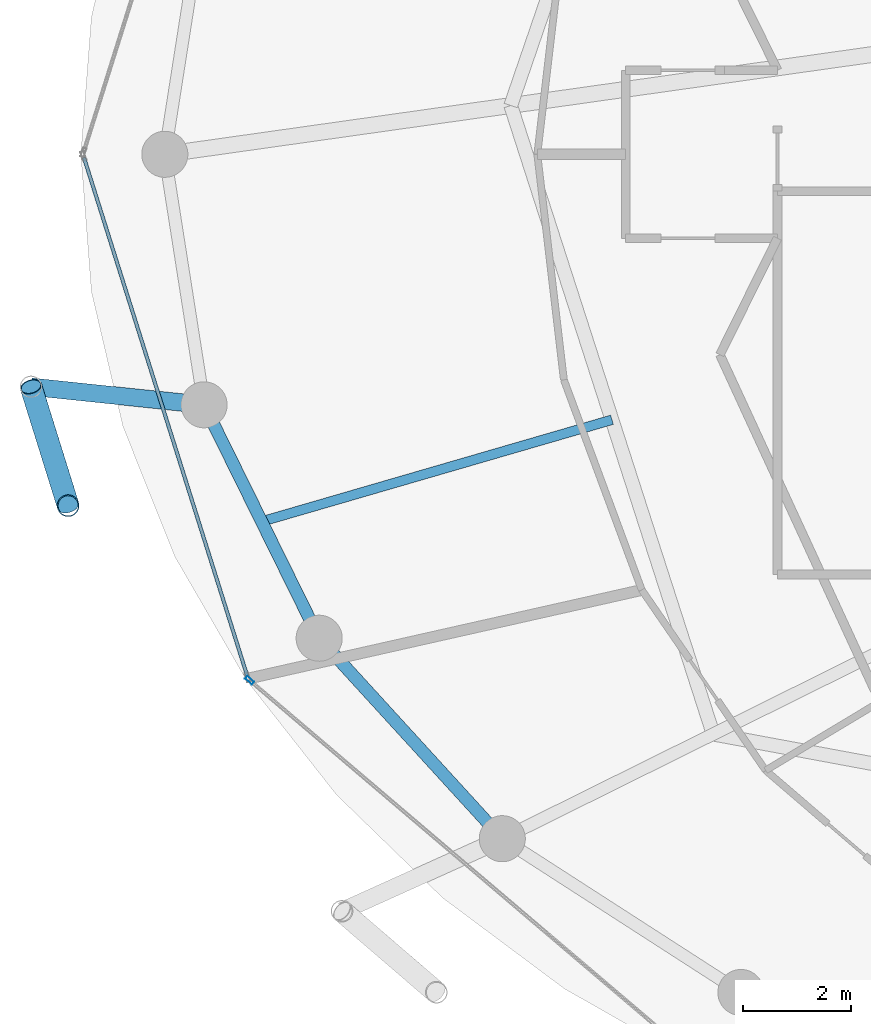
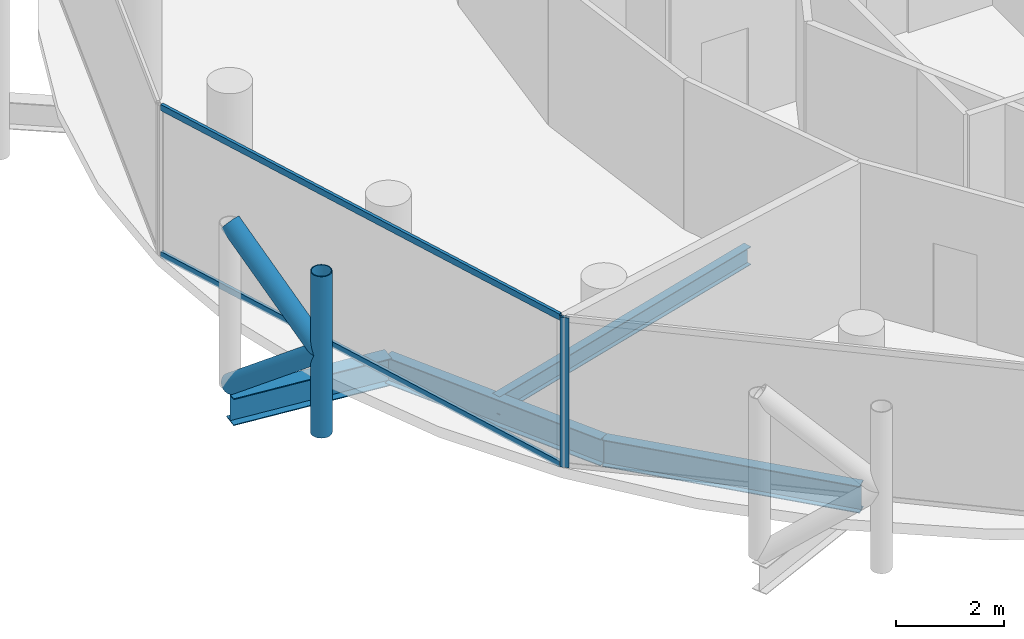
# One storey, part 3 of 27: 6 members, 4 beams, 2 elements without a shape of their own.
"""IFC4 building model written with IfcOpenShell, lengths in metres."""

from ifc_helpers import new_model, si_unit, direction, frame, origin, origin_2d, place, context, subcontext, project, spatial, hollow_rectangle, hollow_circle, i_section, extrude, material, layer, layer_set, material_profile, profile_set, type_object, element, aggregate, save


model = new_model("IFC4")

# Units and contexts
model_context = context("Model", 3, precision=1e-05, world=origin(), true_north=direction((0.0, 1.0)))
body_context = subcontext(model_context, "Body", "Model", "MODEL_VIEW")
ifc_project = project(units=[si_unit("LENGTHUNIT", "METRE"), si_unit("AREAUNIT", "SQUARE_METRE"), si_unit("VOLUMEUNIT", "CUBIC_METRE"), si_unit("PLANEANGLEUNIT", "RADIAN"), si_unit("MASSUNIT", "GRAM", prefix="KILO")], contexts=[model_context])

# Site, building, storey
site_placement = place(None, origin())
site = spatial("IfcSite", under=ifc_project, at=site_placement, CompositionType="ELEMENT")
building_placement = place(site_placement, origin())
building = spatial("IfcBuilding", under=site, at=building_placement, Name="Nuhasar Tower", CompositionType="ELEMENT")
storey_placement = place(building_placement, frame((0.0, 0.0, 251.949951171875)))
storey = spatial("IfcBuildingStorey", under=building, at=storey_placement, Name="L62", CompositionType="ELEMENT", Elevation=251.949951171875)

# Beams
ifc_material_1 = material(Name="Steel S355", Category="steel")
ifc_material_profile_1 = material_profile(ifc_material_1, i_section(OverallWidth=0.177978515625, OverallDepth=0.406005859375, WebThickness=0.0078125, FlangeThickness=0.0126953125, at=origin_2d()), Name="W16X40")
ifc_profile_set_1 = profile_set([ifc_material_profile_1], Name="Steel S355")
beam_type_1 = type_object("IfcBeamType", Name="BM-JST-W16X40", PredefinedType="JOIST", material=ifc_profile_set_1)
beam_1_placement = place(storey_placement, frame((25.9970703125, 21.904052734375, -0.44287109375), z_axis=(-0.960312689798, -0.27892568511, 0.0), x_axis=(0.27892568511, -0.960312689798, 0.0)))
element("IfcBeam", 1, at=beam_1_placement, inside=storey, type_object=beam_type_1, Name="L62 Secondary Floor Joist 08", PredefinedType="JOIST", context=body_context, shape_type="SweptSolid", body=[
    extrude(i_section(OverallWidth=0.177978515625, OverallDepth=0.406005859375, WebThickness=0.0078125, FlangeThickness=0.0126953125, at=origin_2d()), origin(), (0.0, 0.0, 1.0), 6.729248046875),
])
ifc_material_profile_2 = material_profile(ifc_material_1, i_section(OverallWidth=0.22802734375, OverallDepth=0.60791015625, WebThickness=0.01123046875, FlangeThickness=0.017333984375, at=origin_2d()), Name="W24X76")
ifc_profile_set_2 = profile_set([ifc_material_profile_2], Name="Steel S355")
beam_type_2 = type_object("IfcBeamType", Name="BM-RING-W24X76", PredefinedType="SPANDREL", material=ifc_profile_set_2)
beam_2_placement = place(storey_placement, frame((18.47412109375, 22.179931640625, -0.5439453125), z_axis=(0.442262779282, -0.896885518928, 0.0), x_axis=(0.896885518928, 0.442262779282, 0.0)))
element("IfcBeam", 2, at=beam_2_placement, inside=storey, type_object=beam_type_2, Name="L62 Perimeter Ring Spandrel 14", PredefinedType="SPANDREL", context=body_context, shape_type="SweptSolid", body=[
    extrude(i_section(OverallWidth=0.22802734375, OverallDepth=0.60791015625, WebThickness=0.01123046875, FlangeThickness=0.017333984375, at=origin_2d()), origin(), (0.0, 0.0, 1.0), 4.7998046875),
])
beam_3_placement = place(storey_placement, frame((20.596923828125, 17.875, -0.5439453125), z_axis=(0.674449692975, -0.738320805373, 0.0), x_axis=(0.738320805373, 0.674449692975, 0.0)))
element("IfcBeam", 3, at=beam_3_placement, inside=storey, type_object=beam_type_2, Name="L62 Perimeter Ring Spandrel 15", PredefinedType="SPANDREL", context=body_context, shape_type="SweptSolid", body=[
    extrude(i_section(OverallWidth=0.22802734375, OverallDepth=0.60791015625, WebThickness=0.01123046875, FlangeThickness=0.017333984375, at=origin_2d()), origin(), (0.0, 0.0, 1.0), 5.00732421875),
])
ifc_material_profile_3 = material_profile(ifc_material_1, i_section(OverallWidth=0.323974609375, OverallDepth=0.611083984375, WebThickness=0.0126953125, FlangeThickness=0.01904296875, at=origin_2d()), Name="W24X104")
ifc_profile_set_3 = profile_set([ifc_material_profile_3], Name="Steel S355")
beam_type_3 = type_object("IfcBeamType", Name="BM-TIE-W24X104", PredefinedType="BEAM", material=ifc_profile_set_3)
beam_4_placement = place(storey_placement, frame((18.47412109375, 22.179931640625, -0.544921875), z_axis=(-0.994571111079, 0.10405914187, 0.0), x_axis=(-0.10405914187, -0.994571111079, 0.0)))
element("IfcBeam", 4, at=beam_4_placement, inside=storey, type_object=beam_type_3, Name="L62 Exoskeleton Node Tie Beam 07", PredefinedType="BEAM", context=body_context, shape_type="SweptSolid", body=[
    extrude(i_section(OverallWidth=0.323974609375, OverallDepth=0.611083984375, WebThickness=0.0126953125, FlangeThickness=0.01904296875, at=origin_2d()), origin(), (0.0, 0.0, 1.0), 3.20947265625),
])

# Curtain wall, member
ifc_material_2 = material(Name="Aluminium 6063-T6", Category="aluminium")
ifc_layer = layer(ifc_material_2, 0.18994140625)
ifc_layer_set = layer_set([ifc_layer], Name="Aluminium 6063-T6")
curtain_wall_type = type_object("IfcCurtainWallType", Name="CW-Z3-RES", PredefinedType="NOTDEFINED", material=ifc_layer_set)
curtain_wall_1_placement = place(storey_placement, origin())
curtain_wall_1 = element("IfcCurtainWall", 5, at=curtain_wall_1_placement, inside=storey, type_object=curtain_wall_type, Name="L62 Unitised Curtain Wall 08", PredefinedType="NOTDEFINED")
ifc_material_profile_4 = material_profile(ifc_material_2, hollow_rectangle(XDim=0.06494140625, YDim=0.169921875, WallThickness=0.0048828125, at=origin_2d()), Name="CWM-4")
ifc_profile_set_4 = profile_set([ifc_material_profile_4], Name="Aluminium 6063-T6")
member_type_1 = type_object("IfcMemberType", Name="CW-MUL-S4", PredefinedType="MULLION", material=ifc_profile_set_4)
member_1_placement = place(storey_placement, frame((19.313720703125, 17.098876953125, 0.0), z_axis=(0.0, 0.0, 1.0), x_axis=(0.64789521578, 0.761729472562, 0.0)))
member_1 = element("IfcMember", 6, at=member_1_placement, type_object=member_type_1, Name="CW-Z3 mullion 1", PredefinedType="MULLION", context=body_context, shape_type="SweptSolid", body=[
    extrude(hollow_rectangle(XDim=0.06494140625, YDim=0.169921875, WallThickness=0.0048828125, at=origin_2d()), origin(), (0.0, 0.0, 1.0), 3.39013671875),
])
aggregate(curtain_wall_1, [member_1])

# Curtain wall, members
curtain_wall_2_placement = place(storey_placement, origin())
curtain_wall_2 = element("IfcCurtainWall", 7, at=curtain_wall_2_placement, inside=storey, type_object=curtain_wall_type, Name="L62 Unitised Curtain Wall 07", PredefinedType="NOTDEFINED")
ifc_material_profile_5 = material_profile(ifc_material_2, hollow_rectangle(XDim=0.06494140625, YDim=0.139892578125, WallThickness=0.00439453125, at=origin_2d()), Name="CWT-4")
ifc_profile_set_5 = profile_set([ifc_material_profile_5], Name="Aluminium 6063-T6")
member_type_2 = type_object("IfcMemberType", Name="CW-TRN-S4", PredefinedType="USERDEFINED", material=ifc_profile_set_5)
member_2_placement = place(storey_placement, frame((16.259521484375, 26.738037109375, 0.032470703125), z_axis=(0.300430390604, -0.953803743126, 0.0), x_axis=(0.953803743126, 0.300430390604, 0.0)))
member_2 = element("IfcMember", 8, at=member_2_placement, type_object=member_type_2, Name="CW-Z3 transom 1.1", ObjectType="TRANSOM", PredefinedType="USERDEFINED", context=body_context, shape_type="SweptSolid", body=[
    extrude(hollow_rectangle(XDim=0.06494140625, YDim=0.139892578125, WallThickness=0.00439453125, at=origin_2d()), origin(), (0.0, 0.0, 1.0), 10.01904296875),
])
member_3_placement = place(storey_placement, frame((16.259521484375, 26.738037109375, 3.357666015625), z_axis=(0.300430390604, -0.953803743126, 0.0), x_axis=(0.953803743126, 0.300430390604, 0.0)))
member_3 = element("IfcMember", 9, at=member_3_placement, type_object=member_type_2, Name="CW-Z3 transom 1.2", ObjectType="TRANSOM", PredefinedType="USERDEFINED", context=body_context, shape_type="SweptSolid", body=[
    extrude(hollow_rectangle(XDim=0.06494140625, YDim=0.139892578125, WallThickness=0.00439453125, at=origin_2d()), origin(), (0.0, 0.0, 1.0), 10.01904296875),
])
aggregate(curtain_wall_2, [member_2, member_3])

# Members
ifc_material_3 = material(Name="Steel S460", Category="steel")
ifc_material_profile_6 = material_profile(ifc_material_3, hollow_circle(Radius=0.203125, WallThickness=0.01904296875, at=origin_2d()), Name="HSS406.4X19.1")
ifc_profile_set_6 = profile_set([ifc_material_profile_6], Name="Steel S460")
member_type_3 = type_object("IfcMemberType", Name="EXO-BRONZE-406", PredefinedType="BRACE", material=ifc_profile_set_6)
member_4_placement = place(storey_placement, frame((15.967041015625, 20.319091796875, 0.0), z_axis=(0.0, 0.0, 1.0), x_axis=(1.0, 0.0, 0.0)))
element("IfcMember", 10, at=member_4_placement, inside=storey, type_object=member_type_3, Name="L62 Exoskeleton Chord Column EC-07B", PredefinedType="BRACE", context=body_context, shape_type="SweptSolid", body=[
    extrude(hollow_circle(Radius=0.203125, WallThickness=0.01904296875, at=origin_2d()), origin(), (0.0, 0.0, 1.0), 3.650146484375),
])
for number, where, z_axis, x_axis, name in (
    (11, (15.281982421875, 22.513916015625, 0.0), (0.233372423355, -0.747689980743, 0.621688832709), (0.954581948223, 0.297948492404, 0.0), "L62 Bronze Diagrid Brace W1-07"),
    (12, (15.967041015625, 20.319091796875, 1.824951171875), (-0.233360356896, 0.747651321632, 0.621739853228), (-0.954581948223, -0.297948492404, 0.0), "L62 Bronze Diagrid Brace W2-07"),
):
    element("IfcMember", number, at=place(storey_placement, frame(where, z_axis=z_axis, x_axis=x_axis)), inside=storey, type_object=member_type_3, Name=name, PredefinedType="BRACE", context=body_context, shape_type="SweptSolid", body=[
        extrude(hollow_circle(Radius=0.203125, WallThickness=0.01904296875, at=origin_2d()), origin(), (0.0, 0.0, 1.0), 2.935546875),
    ])

save(model, "model.ifc")
